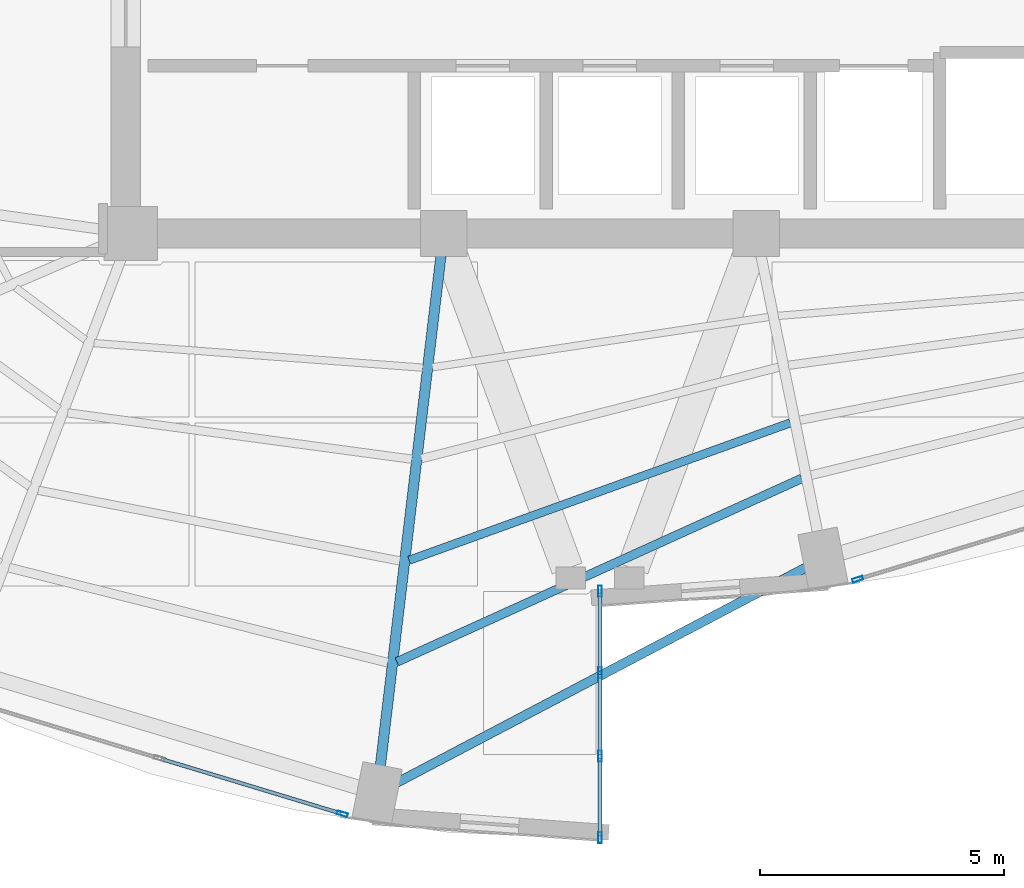
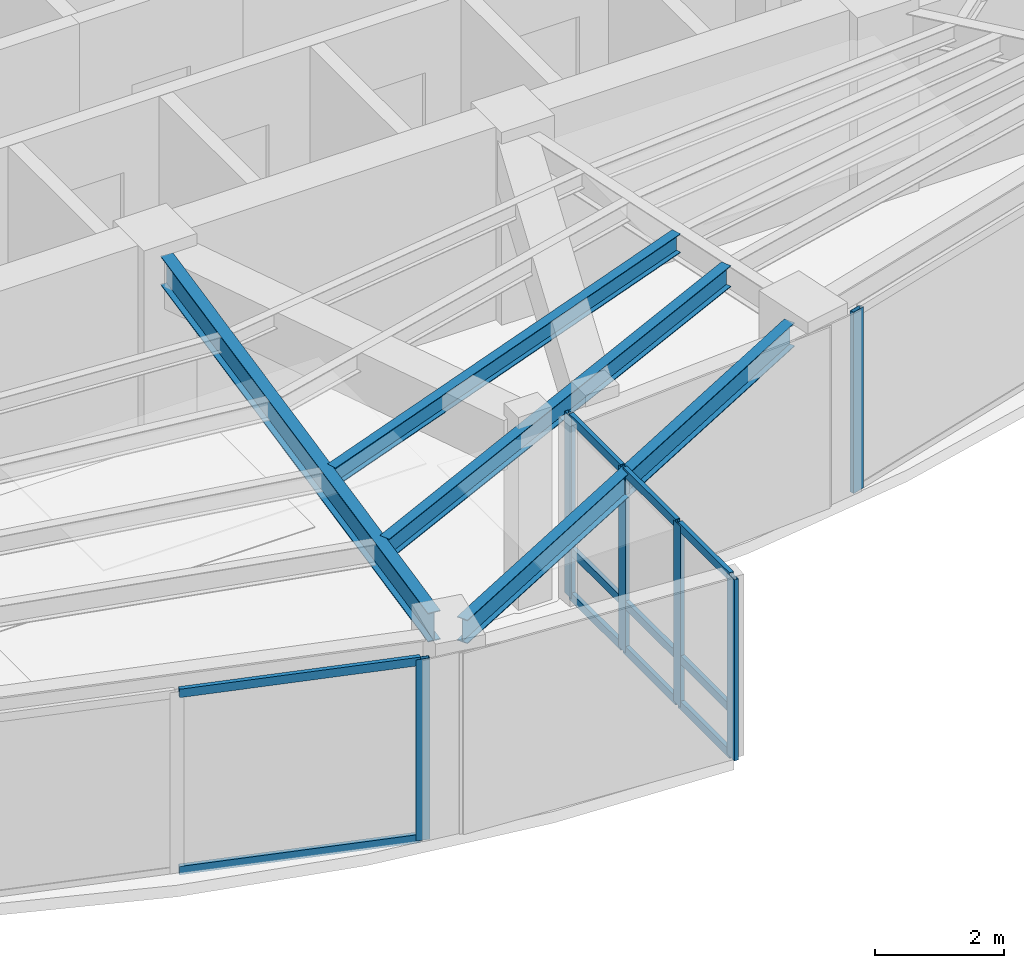
# One storey, part 4 of 20: 17 members, 4 beams, 3 elements without a shape of their own.
"""IFC4 building model written with IfcOpenShell, lengths in metres."""

from ifc_helpers import new_model, si_unit, direction, frame, origin, origin_2d, place, context, subcontext, project, spatial, hollow_rectangle, i_section, extrude, material, layer, layer_set, material_profile, profile_set, type_object, element, aggregate, save


model = new_model("IFC4")

# Units and contexts
model_context = context("Model", 3, precision=1e-05, world=origin(), true_north=direction((0.0, 1.0)))
body_context = subcontext(model_context, "Body", "Model", "MODEL_VIEW")
ifc_project = project(units=[si_unit("LENGTHUNIT", "METRE"), si_unit("AREAUNIT", "SQUARE_METRE"), si_unit("VOLUMEUNIT", "CUBIC_METRE"), si_unit("PLANEANGLEUNIT", "RADIAN"), si_unit("MASSUNIT", "GRAM", prefix="KILO")], contexts=[model_context])

# Site, building, storey
site_placement = place(None, origin())
site = spatial("IfcSite", under=ifc_project, at=site_placement, CompositionType="ELEMENT")
building_placement = place(site_placement, origin())
building = spatial("IfcBuilding", under=site, at=building_placement, Name="Lazwardi Medical Tower", CompositionType="ELEMENT")
storey_placement = place(building_placement, frame((0.0, 0.0, 156.528076171875)))
storey = spatial("IfcBuildingStorey", under=building, at=storey_placement, Name="L40", CompositionType="ELEMENT", Elevation=156.528076171875)

# Beams
ifc_material_1 = material(Name="Steel S355", Category="steel")
ifc_material_profile_1 = material_profile(ifc_material_1, i_section(OverallWidth=0.2099609375, OverallDepth=0.550048828125, WebThickness=0.010986328125, FlangeThickness=0.01708984375, at=origin_2d()), Name="IPE 550")
ifc_profile_set_1 = profile_set([ifc_material_profile_1], Name="Steel S355")
beam_type_1 = type_object("IfcBeamType", Name="BM-RG-W2", PredefinedType="BEAM", material=ifc_profile_set_1)
beam_1_placement = place(storey_placement, frame((31.505859375, 9.50732421875, 3.15283203125), z_axis=(0.117968004211, 0.993017396616, 0.0), x_axis=(-0.993017396616, 0.117968004211, 0.0)))
element("IfcBeam", 1, at=beam_1_placement, inside=storey, type_object=beam_type_1, Name="Radial girder RG-03 R16 L40", PredefinedType="BEAM", context=body_context, shape_type="SweptSolid", body=[
    extrude(i_section(OverallWidth=0.2099609375, OverallDepth=0.550048828125, WebThickness=0.010986328125, FlangeThickness=0.01708984375, at=origin_2d()), origin(), (0.0, 0.0, 1.0), 10.50927734375),
])
ifc_material_profile_2 = material_profile(ifc_material_1, i_section(OverallWidth=0.179931640625, OverallDepth=0.39990234375, WebThickness=0.008544921875, FlangeThickness=0.013427734375, at=origin_2d()), Name="IPE 400")
ifc_profile_set_2 = profile_set([ifc_material_profile_2], Name="Steel S355")
beam_type_2 = type_object("IfcBeamType", Name="BM-SJ-01", PredefinedType="JOIST", material=ifc_profile_set_2)
beam_2_placement = place(storey_placement, frame((31.844970703125, 11.6357421875, 3.22802734375), z_axis=(0.910834000674, 0.412772846995, 0.0), x_axis=(-0.412772846995, 0.910834000674, 0.0)))
element("IfcBeam", 2, at=beam_2_placement, inside=storey, type_object=beam_type_2, Name="Secondary joist SJ-01 R1 B16 L40", PredefinedType="JOIST", context=body_context, shape_type="SweptSolid", body=[
    extrude(i_section(OverallWidth=0.179931640625, OverallDepth=0.39990234375, WebThickness=0.008544921875, FlangeThickness=0.013427734375, at=origin_2d()), origin(), (0.0, 0.0, 1.0), 9.09130859375),
])
ifc_material_profile_3 = material_profile(ifc_material_1, i_section(OverallWidth=0.169921875, OverallDepth=0.360107421875, WebThickness=0.008056640625, FlangeThickness=0.0126953125, at=origin_2d()), Name="IPE 360")
ifc_profile_set_3 = profile_set([ifc_material_profile_3], Name="Steel S355")
beam_type_3 = type_object("IfcBeamType", Name="BM-SJ-02", PredefinedType="JOIST", material=ifc_profile_set_3)
beam_3_placement = place(storey_placement, frame((32.095947265625, 13.715576171875, 3.247802734375), z_axis=(0.940747993319, 0.339106492221, 0.0), x_axis=(-0.339106492221, 0.940747993319, 0.0)))
element("IfcBeam", 3, at=beam_3_placement, inside=storey, type_object=beam_type_3, Name="Secondary joist SJ-02 R2 B16 L40", PredefinedType="JOIST", context=body_context, shape_type="SweptSolid", body=[
    extrude(i_section(OverallWidth=0.169921875, OverallDepth=0.360107421875, WebThickness=0.008056640625, FlangeThickness=0.0126953125, at=origin_2d()), origin(), (0.0, 0.0, 1.0), 8.28662109375),
])
ifc_material_profile_4 = material_profile(ifc_material_1, i_section(OverallWidth=0.18994140625, OverallDepth=0.449951171875, WebThickness=0.009521484375, FlangeThickness=0.0146484375, at=origin_2d()), Name="IPE 450")
ifc_profile_set_4 = profile_set([ifc_material_profile_4], Name="Steel S355")
beam_type_4 = type_object("IfcBeamType", Name="BM-SP-01", PredefinedType="SPANDREL", material=ifc_profile_set_4)
beam_4_placement = place(storey_placement, frame((31.793701171875, 9.137451171875, 3.202880859375), z_axis=(0.884926578414, 0.465730556026, 0.0), x_axis=(-0.465730556026, 0.884926578414, 0.0)))
element("IfcBeam", 4, at=beam_4_placement, inside=storey, type_object=beam_type_4, Name="Spandrel beam SP-01 B16 L40", PredefinedType="SPANDREL", context=body_context, shape_type="SweptSolid", body=[
    extrude(i_section(OverallWidth=0.18994140625, OverallDepth=0.449951171875, WebThickness=0.009521484375, FlangeThickness=0.0146484375, at=origin_2d()), origin(), (0.0, 0.0, 1.0), 9.506591796875),
])

# Curtain wall, member
ifc_material_2 = material(Name="Anodised bronze aluminium and solar control glazing", Category="aluminium")
ifc_layer_1 = layer(ifc_material_2, 0.195068359375)
ifc_layer_set_1 = layer_set([ifc_layer_1], Name="Anodised bronze aluminium and solar control glazing")
curtain_wall_type_1 = type_object("IfcCurtainWallType", Name="CW-SYS-03", PredefinedType="NOTDEFINED", material=ifc_layer_set_1)
curtain_wall_1_placement = place(storey_placement, origin())
curtain_wall_1 = element("IfcCurtainWall", 5, at=curtain_wall_1_placement, inside=storey, type_object=curtain_wall_type_1, Name="L40 Unitised bronze curtain wall CW-03", PredefinedType="NOTDEFINED")
ifc_material_3 = material(Name="Anodised bronze aluminium", Category="aluminium")
ifc_material_profile_5 = material_profile(ifc_material_3, hollow_rectangle(XDim=0.074951171875, YDim=0.219970703125, WallThickness=0.00390625, at=origin_2d()), Name="ALU-MULLION 220x75x4")
ifc_profile_set_5 = profile_set([ifc_material_profile_5], Name="Anodised bronze aluminium")
member_type_1 = type_object("IfcMemberType", Name="CW-MUL-01", PredefinedType="MULLION", material=ifc_profile_set_5)
member_1_placement = place(storey_placement, frame((41.27197265625, 13.325927734375, 0.0), z_axis=(0.0, 0.0, 1.0), x_axis=(-0.290280785441, 0.956941516292, 0.0)))
member_1 = element("IfcMember", 6, at=member_1_placement, type_object=member_type_1, Name="CW-03 mullion 1", PredefinedType="MULLION", context=body_context, shape_type="SweptSolid", body=[
    extrude(hollow_rectangle(XDim=0.074951171875, YDim=0.219970703125, WallThickness=0.00390625, at=origin_2d()), origin(), (0.0, 0.0, 1.0), 3.427978515625),
])
aggregate(curtain_wall_1, [member_1])

curtain_wall_2_placement = place(storey_placement, origin())
curtain_wall_2 = element("IfcCurtainWall", 7, at=curtain_wall_2_placement, inside=storey, type_object=curtain_wall_type_1, Name="L40 Unitised bronze curtain wall CW-03", PredefinedType="NOTDEFINED")
member_2_placement = place(storey_placement, frame((30.72802734375, 8.52587890625, 0.0), z_axis=(0.0, 0.0, 1.0), x_axis=(0.290280785441, 0.956941516292, 0.0)))
member_2 = element("IfcMember", 8, at=member_2_placement, type_object=member_type_1, Name="CW-03 mullion 3", PredefinedType="MULLION", context=body_context, shape_type="SweptSolid", body=[
    extrude(hollow_rectangle(XDim=0.074951171875, YDim=0.219970703125, WallThickness=0.00390625, at=origin_2d()), origin(), (0.0, 0.0, 1.0), 3.427978515625),
])

# Curtain wall, members
ifc_layer_2 = layer(ifc_material_2, 0.2099609375)
ifc_layer_set_2 = layer_set([ifc_layer_2], Name="Anodised bronze aluminium and solar control glazing")
curtain_wall_type_2 = type_object("IfcCurtainWallType", Name="CW-SYS-06", PredefinedType="NOTDEFINED", material=ifc_layer_set_2)
curtain_wall_3_placement = place(storey_placement, origin())
curtain_wall_3 = element("IfcCurtainWall", 9, at=curtain_wall_3_placement, inside=storey, type_object=curtain_wall_type_2, Name="L40 Unitised bronze curtain wall CW-06", PredefinedType="NOTDEFINED")
member_3_placement = place(storey_placement, frame((36.0, 8.03759765625, 0.0), z_axis=(0.0, 0.0, 1.0), x_axis=(-1.0, 0.0, 0.0)))
member_3 = element("IfcMember", 10, at=member_3_placement, type_object=member_type_1, Name="CW-06 mullion 1", PredefinedType="MULLION", context=body_context, shape_type="SweptSolid", body=[
    extrude(hollow_rectangle(XDim=0.074951171875, YDim=0.219970703125, WallThickness=0.00390625, at=origin_2d()), origin(), (0.0, 0.0, 1.0), 3.427978515625),
])
member_4_placement = place(storey_placement, frame((36.0, 9.706787109375, 0.0), z_axis=(0.0, 0.0, 1.0), x_axis=(-1.0, 0.0, 0.0)))
member_4 = element("IfcMember", 11, at=member_4_placement, type_object=member_type_1, Name="CW-06 mullion 2", PredefinedType="MULLION", context=body_context, shape_type="SweptSolid", body=[
    extrude(hollow_rectangle(XDim=0.074951171875, YDim=0.219970703125, WallThickness=0.00390625, at=origin_2d()), origin(), (0.0, 0.0, 1.0), 3.427978515625),
])
member_5_placement = place(storey_placement, frame((36.0, 11.413330078125, 0.0), z_axis=(0.0, 0.0, 1.0), x_axis=(-1.0, 0.0, 0.0)))
member_5 = element("IfcMember", 12, at=member_5_placement, type_object=member_type_1, Name="CW-06 mullion 3", PredefinedType="MULLION", context=body_context, shape_type="SweptSolid", body=[
    extrude(hollow_rectangle(XDim=0.074951171875, YDim=0.219970703125, WallThickness=0.00390625, at=origin_2d()), origin(), (0.0, 0.0, 1.0), 3.427978515625),
])
member_6_placement = place(storey_placement, frame((36.0, 13.08251953125, 0.0), z_axis=(0.0, 0.0, 1.0), x_axis=(-1.0, 0.0, 0.0)))
member_6 = element("IfcMember", 13, at=member_6_placement, type_object=member_type_1, Name="CW-06 mullion 4", PredefinedType="MULLION", context=body_context, shape_type="SweptSolid", body=[
    extrude(hollow_rectangle(XDim=0.074951171875, YDim=0.219970703125, WallThickness=0.00390625, at=origin_2d()), origin(), (0.0, 0.0, 1.0), 3.427978515625),
])

# Member
ifc_material_profile_6 = material_profile(ifc_material_3, hollow_rectangle(XDim=0.074951171875, YDim=0.159912109375, WallThickness=0.00390625, at=origin_2d()), Name="ALU-TRANSOM 160x75x4")
ifc_profile_set_6 = profile_set([ifc_material_profile_6], Name="Anodised bronze aluminium")
member_type_2 = type_object("IfcMemberType", Name="CW-TRN-01", PredefinedType="USERDEFINED", material=ifc_profile_set_6)
member_7_placement = place(storey_placement, frame((27.020751953125, 9.650390625, 0.037353515625), z_axis=(0.95695319357, -0.290242287264, 0.0), x_axis=(0.290242287264, 0.95695319357, 0.0)))
member_7 = element("IfcMember", 14, at=member_7_placement, type_object=member_type_2, Name="CW-03 transom 2.1", ObjectType="TRANSOM", PredefinedType="USERDEFINED", context=body_context, shape_type="SweptSolid", body=[
    extrude(hollow_rectangle(XDim=0.074951171875, YDim=0.159912109375, WallThickness=0.00390625, at=origin_2d()), origin(), (0.0, 0.0, 1.0), 3.83642578125),
])

member_8_placement = place(storey_placement, frame((27.020751953125, 9.650390625, 3.390380859375), z_axis=(0.95695319357, -0.290242287264, 0.0), x_axis=(0.290242287264, 0.95695319357, 0.0)))
member_8 = element("IfcMember", 15, at=member_8_placement, type_object=member_type_2, Name="CW-03 transom 2.2", ObjectType="TRANSOM", PredefinedType="USERDEFINED", context=body_context, shape_type="SweptSolid", body=[
    extrude(hollow_rectangle(XDim=0.074951171875, YDim=0.159912109375, WallThickness=0.00390625, at=origin_2d()), origin(), (0.0, 0.0, 1.0), 3.83642578125),
])

aggregate(curtain_wall_2, [member_2, member_7, member_8])

member_9_placement = place(storey_placement, frame((36.0, 8.074951171875, 0.037353515625), z_axis=(0.0, 1.0, 0.0), x_axis=(-1.0, 0.0, 0.0)))
member_9 = element("IfcMember", 16, at=member_9_placement, type_object=member_type_2, Name="CW-06 transom 1.1", ObjectType="TRANSOM", PredefinedType="USERDEFINED", context=body_context, shape_type="SweptSolid", body=[
    extrude(hollow_rectangle(XDim=0.074951171875, YDim=0.159912109375, WallThickness=0.00390625, at=origin_2d()), origin(), (0.0, 0.0, 1.0), 1.59423828125),
])

member_10_placement = place(storey_placement, frame((36.0, 8.074951171875, 0.89990234375), z_axis=(0.0, 1.0, 0.0), x_axis=(-1.0, 0.0, 0.0)))
member_10 = element("IfcMember", 17, at=member_10_placement, type_object=member_type_2, Name="CW-06 transom 1.2", ObjectType="TRANSOM", PredefinedType="USERDEFINED", context=body_context, shape_type="SweptSolid", body=[
    extrude(hollow_rectangle(XDim=0.074951171875, YDim=0.159912109375, WallThickness=0.00390625, at=origin_2d()), origin(), (0.0, 0.0, 1.0), 1.59423828125),
])

member_11_placement = place(storey_placement, frame((36.0, 8.074951171875, 3.390380859375), z_axis=(0.0, 1.0, 0.0), x_axis=(-1.0, 0.0, 0.0)))
member_11 = element("IfcMember", 18, at=member_11_placement, type_object=member_type_2, Name="CW-06 transom 1.3", ObjectType="TRANSOM", PredefinedType="USERDEFINED", context=body_context, shape_type="SweptSolid", body=[
    extrude(hollow_rectangle(XDim=0.074951171875, YDim=0.159912109375, WallThickness=0.00390625, at=origin_2d()), origin(), (0.0, 0.0, 1.0), 1.59423828125),
])

member_12_placement = place(storey_placement, frame((36.0, 9.744140625, 0.037353515625), z_axis=(0.0, 1.0, 0.0), x_axis=(-1.0, 0.0, 0.0)))
member_12 = element("IfcMember", 19, at=member_12_placement, type_object=member_type_2, Name="CW-06 transom 2.1", ObjectType="TRANSOM", PredefinedType="USERDEFINED", context=body_context, shape_type="SweptSolid", body=[
    extrude(hollow_rectangle(XDim=0.074951171875, YDim=0.159912109375, WallThickness=0.00390625, at=origin_2d()), origin(), (0.0, 0.0, 1.0), 1.631591796875),
])

member_13_placement = place(storey_placement, frame((36.0, 9.744140625, 0.89990234375), z_axis=(0.0, 1.0, 0.0), x_axis=(-1.0, 0.0, 0.0)))
member_13 = element("IfcMember", 20, at=member_13_placement, type_object=member_type_2, Name="CW-06 transom 2.2", ObjectType="TRANSOM", PredefinedType="USERDEFINED", context=body_context, shape_type="SweptSolid", body=[
    extrude(hollow_rectangle(XDim=0.074951171875, YDim=0.159912109375, WallThickness=0.00390625, at=origin_2d()), origin(), (0.0, 0.0, 1.0), 1.631591796875),
])

member_14_placement = place(storey_placement, frame((36.0, 9.744140625, 3.390380859375), z_axis=(0.0, 1.0, 0.0), x_axis=(-1.0, 0.0, 0.0)))
member_14 = element("IfcMember", 21, at=member_14_placement, type_object=member_type_2, Name="CW-06 transom 2.3", ObjectType="TRANSOM", PredefinedType="USERDEFINED", context=body_context, shape_type="SweptSolid", body=[
    extrude(hollow_rectangle(XDim=0.074951171875, YDim=0.159912109375, WallThickness=0.00390625, at=origin_2d()), origin(), (0.0, 0.0, 1.0), 1.631591796875),
])

member_15_placement = place(storey_placement, frame((36.0, 11.450927734375, 0.037353515625), z_axis=(0.0, 1.0, 0.0), x_axis=(-1.0, 0.0, 0.0)))
member_15 = element("IfcMember", 22, at=member_15_placement, type_object=member_type_2, Name="CW-06 transom 3.1", ObjectType="TRANSOM", PredefinedType="USERDEFINED", context=body_context, shape_type="SweptSolid", body=[
    extrude(hollow_rectangle(XDim=0.074951171875, YDim=0.159912109375, WallThickness=0.00390625, at=origin_2d()), origin(), (0.0, 0.0, 1.0), 1.593994140625),
])

member_16_placement = place(storey_placement, frame((36.0, 11.450927734375, 0.89990234375), z_axis=(0.0, 1.0, 0.0), x_axis=(-1.0, 0.0, 0.0)))
member_16 = element("IfcMember", 23, at=member_16_placement, type_object=member_type_2, Name="CW-06 transom 3.2", ObjectType="TRANSOM", PredefinedType="USERDEFINED", context=body_context, shape_type="SweptSolid", body=[
    extrude(hollow_rectangle(XDim=0.074951171875, YDim=0.159912109375, WallThickness=0.00390625, at=origin_2d()), origin(), (0.0, 0.0, 1.0), 1.593994140625),
])

member_17_placement = place(storey_placement, frame((36.0, 11.450927734375, 3.390380859375), z_axis=(0.0, 1.0, 0.0), x_axis=(-1.0, 0.0, 0.0)))
member_17 = element("IfcMember", 24, at=member_17_placement, type_object=member_type_2, Name="CW-06 transom 3.3", ObjectType="TRANSOM", PredefinedType="USERDEFINED", context=body_context, shape_type="SweptSolid", body=[
    extrude(hollow_rectangle(XDim=0.074951171875, YDim=0.159912109375, WallThickness=0.00390625, at=origin_2d()), origin(), (0.0, 0.0, 1.0), 1.593994140625),
])

aggregate(curtain_wall_3, [member_3, member_4, member_5, member_6, member_9, member_10, member_11, member_12, member_13, member_14, member_15, member_16, member_17])

save(model, "model.ifc")
